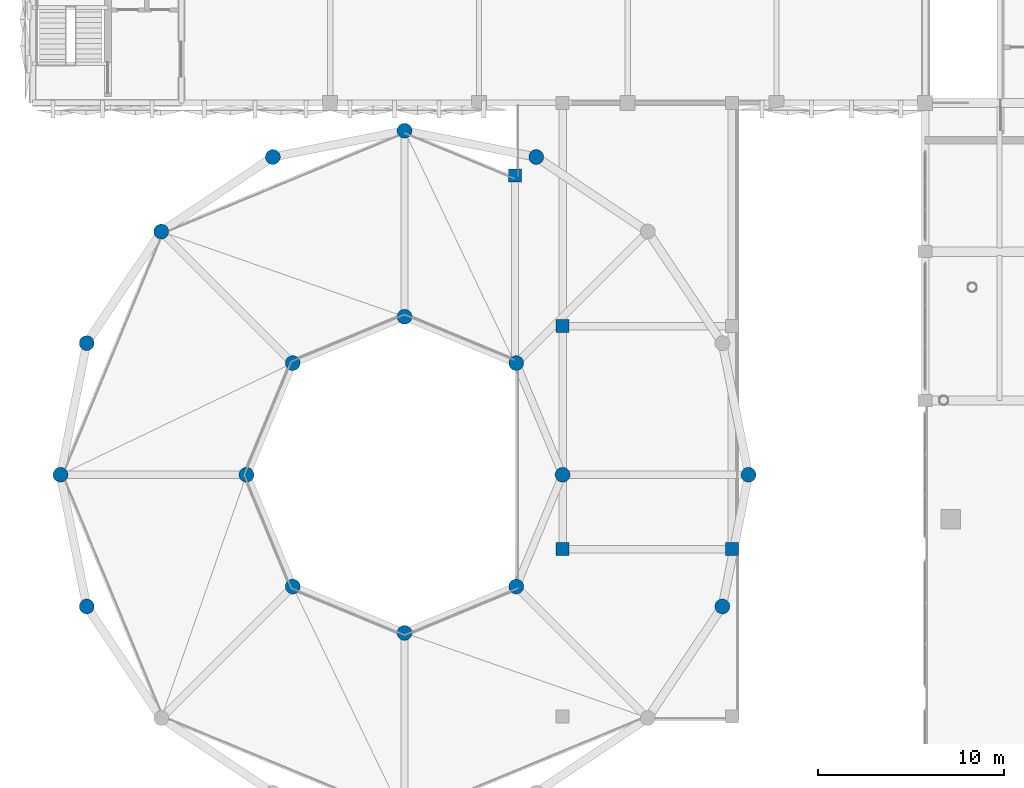
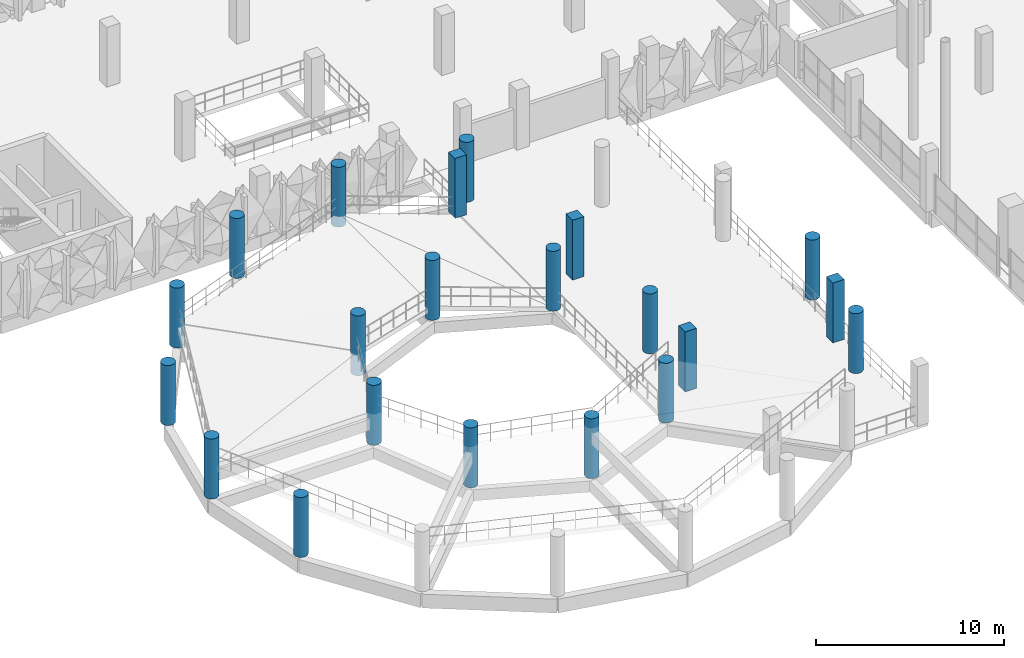
# One storey, part 3 of 123: 21 columns.
"""IFC4 building model written with IfcOpenShell, lengths in metres."""

from ifc_helpers import new_model, si_unit, derived_unit, direction, frame, origin, origin_2d, place, context, subcontext, project, spatial, rectangle, circle, extrude, material, material_profile, profile_set, type_object, element, save


model = new_model("IFC4")

# Units and contexts
model_context = context("Model", 3, precision=1e-05, world=origin(), true_north=direction((0.0, 1.0)))
body_context = subcontext(model_context, "Body", "Model", "MODEL_VIEW")
ifc_project = project(units=[si_unit("LENGTHUNIT", "METRE"), si_unit("AREAUNIT", "SQUARE_METRE"), si_unit("VOLUMEUNIT", "CUBIC_METRE"), si_unit("PLANEANGLEUNIT", "RADIAN"), si_unit("MASSUNIT", "GRAM", prefix="KILO"), si_unit("THERMODYNAMICTEMPERATUREUNIT", "KELVIN"), derived_unit("THERMALTRANSMITTANCEUNIT", [(si_unit("POWERUNIT", "WATT"), 1), (si_unit("AREAUNIT", "SQUARE_METRE"), -1), (si_unit("THERMODYNAMICTEMPERATUREUNIT", "KELVIN"), -1)])], contexts=[model_context])

# Site, building, storey
site_placement = place(None, origin())
site = spatial("IfcSite", under=ifc_project, at=site_placement, CompositionType="ELEMENT")
building_placement = place(site_placement, origin())
building = spatial("IfcBuilding", under=site, at=building_placement, Name="Haiyu Intermodal Mobility Hub", CompositionType="ELEMENT")
storey_placement = place(building_placement, frame((0.0, 0.0, 5.60009765625)))
storey = spatial("IfcBuildingStorey", under=building, at=storey_placement, Name="L01", CompositionType="ELEMENT", Elevation=5.60009765625)

# Columns
ifc_material = material(Name="Concrete C40", Category="concrete")
ifc_material_profile_1 = material_profile(ifc_material, rectangle(XDim=0.699951171875, YDim=0.699951171875, at=origin_2d()), Name="RC700x700")
ifc_profile_set_1 = profile_set([ifc_material_profile_1], Name="Concrete C40")
column_type_1 = type_object("IfcColumnType", Name="COL-CC08", PredefinedType="COLUMN", material=ifc_profile_set_1)
for number, where, z_axis, x_axis, name in (
    (1, (51.60009765625, 56.0, 0.0), (0.0, 0.0, 1.0), (1.0, 0.0, 0.0), "Column V2L-2 L01"),
    (2, (42.5, 56.0, 0.0), (0.0, 0.0, 1.0), (1.0, 0.0, 0.0), "Column V2LW-2 L01"),
    (3, (42.5, 68.0, 0.0), (0.0, 0.0, 1.0), (1.0, 0.0, 0.0), "Column V2LW-3 L01"),
    (4, (39.93994140625, 76.10009765625, 0.0), (0.0, 0.0, 1.0), (1.0, 0.0, 0.0), "Column V2LW-N L01"),
):
    element("IfcColumn", number, at=place(storey_placement, frame(where, z_axis=z_axis, x_axis=x_axis)), inside=storey, type_object=column_type_1, Name=name, PredefinedType="COLUMN", context=body_context, shape_type="SweptSolid", body=[
        extrude(rectangle(XDim=0.699951171875, YDim=0.699951171875, at=origin_2d()), origin(), (0.0, 0.0, 1.0), 3.89990234375),
    ])
ifc_material_profile_2 = material_profile(ifc_material, circle(Radius=0.39990234375, at=origin_2d()), Name="RCCOL-D800")
ifc_profile_set_2 = profile_set([ifc_material_profile_2], Name="Concrete C40")
column_type_2 = type_object("IfcColumnType", Name="COL-CR01", PredefinedType="COLUMN", material=ifc_profile_set_2)
for number, where, z_axis, x_axis, name in (
    (5, (42.5, 60.0, 0.0), (0.0, 0.0, 1.0), (1.0, 0.0, 0.0), "Column V2I-01 L01"),
    (6, (40.010009765625, 66.010009765625, 0.0), (0.0, 0.0, 1.0), (1.0, 0.0, 0.0), "Column V2I-02 L01"),
    (7, (34.0, 68.5, 0.0), (0.0, 0.0, 1.0), (1.0, 0.0, 0.0), "Column V2I-03 L01"),
    (8, (27.989990234375, 66.010009765625, 0.0), (0.0, 0.0, 1.0), (1.0, 0.0, 0.0), "Column V2I-04 L01"),
    (9, (25.5, 60.0, 0.0), (0.0, 0.0, 1.0), (1.0, 0.0, 0.0), "Column V2I-05 L01"),
    (10, (27.989990234375, 53.989990234375, 0.0), (0.0, 0.0, 1.0), (1.0, 0.0, 0.0), "Column V2I-06 L01"),
    (11, (34.0, 51.5, 0.0), (0.0, 0.0, 1.0), (1.0, 0.0, 0.0), "Column V2I-07 L01"),
    (12, (40.010009765625, 53.989990234375, 0.0), (0.0, 0.0, 1.0), (1.0, 0.0, 0.0), "Column V2I-08 L01"),
):
    element("IfcColumn", number, at=place(storey_placement, frame(where, z_axis=z_axis, x_axis=x_axis)), inside=storey, type_object=column_type_2, Name=name, PredefinedType="COLUMN", context=body_context, shape_type="SweptSolid", body=[
        extrude(circle(Radius=0.39990234375, at=origin_2d()), origin(), (0.0, 0.0, 1.0), 3.89990234375),
    ])
ifc_material_profile_3 = material_profile(ifc_material, circle(Radius=0.39990234375, at=origin_2d()), Name="RCCOL-D800")
ifc_profile_set_3 = profile_set([ifc_material_profile_3], Name="Concrete C40")
column_type_3 = type_object("IfcColumnType", Name="COL-CR01-EXT", PredefinedType="COLUMN", material=ifc_profile_set_3)
for number, where, z_axis, x_axis, name in (
    (13, (52.5, 60.0, 0.0), (0.0, 0.0, 1.0), (1.0, 0.0, 0.0), "Column V2O-01 L01"),
    (14, (41.080078125, 77.092041015625, 0.0), (0.0, 0.0, 1.0), (1.0, 0.0, 0.0), "Column V2O-04 L01"),
    (15, (34.0, 78.5, 0.0), (0.0, 0.0, 1.0), (1.0, 0.0, 0.0), "Column V2O-05 L01"),
    (16, (26.919921875, 77.092041015625, 0.0), (0.0, 0.0, 1.0), (1.0, 0.0, 0.0), "Column V2O-06 L01"),
    (17, (20.9189453125, 73.0810546875, 0.0), (0.0, 0.0, 1.0), (1.0, 0.0, 0.0), "Column V2O-07 L01"),
    (18, (16.907958984375, 67.080078125, 0.0), (0.0, 0.0, 1.0), (1.0, 0.0, 0.0), "Column V2O-08 L01"),
    (19, (15.5, 60.0, 0.0), (0.0, 0.0, 1.0), (1.0, 0.0, 0.0), "Column V2O-09 L01"),
    (20, (16.907958984375, 52.919921875, 0.0), (0.0, 0.0, 1.0), (1.0, 0.0, 0.0), "Column V2O-10 L01"),
    (21, (51.092041015625, 52.919921875, 0.0), (0.0, 0.0, 1.0), (1.0, 0.0, 0.0), "Column V2O-16 L01"),
):
    element("IfcColumn", number, at=place(storey_placement, frame(where, z_axis=z_axis, x_axis=x_axis)), inside=storey, type_object=column_type_3, Name=name, PredefinedType="COLUMN", context=body_context, shape_type="SweptSolid", body=[
        extrude(circle(Radius=0.39990234375, at=origin_2d()), origin(), (0.0, 0.0, 1.0), 3.89990234375),
    ])

save(model, "model.ifc")
